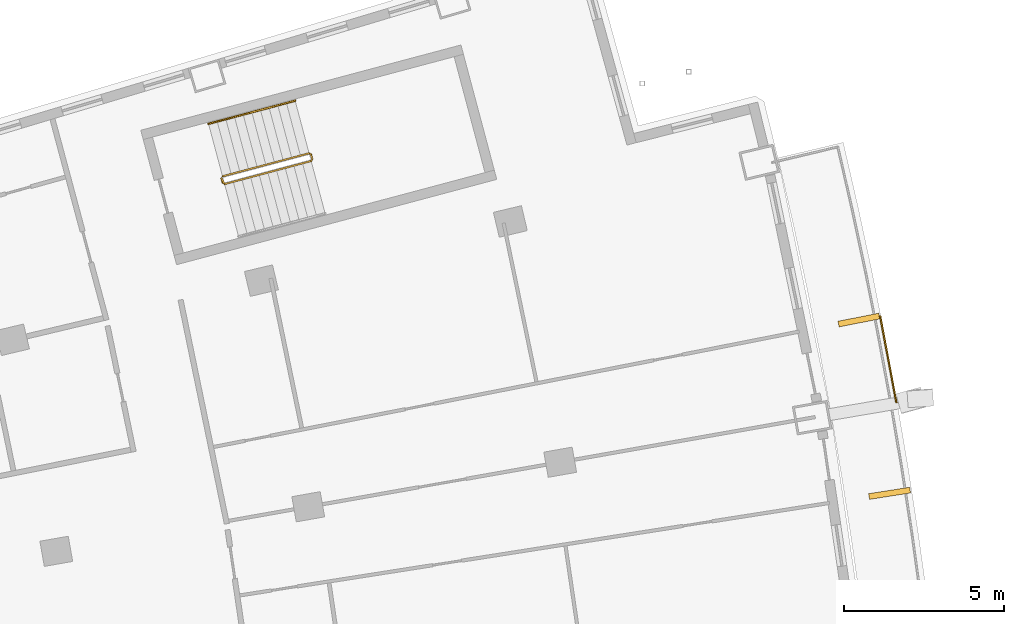
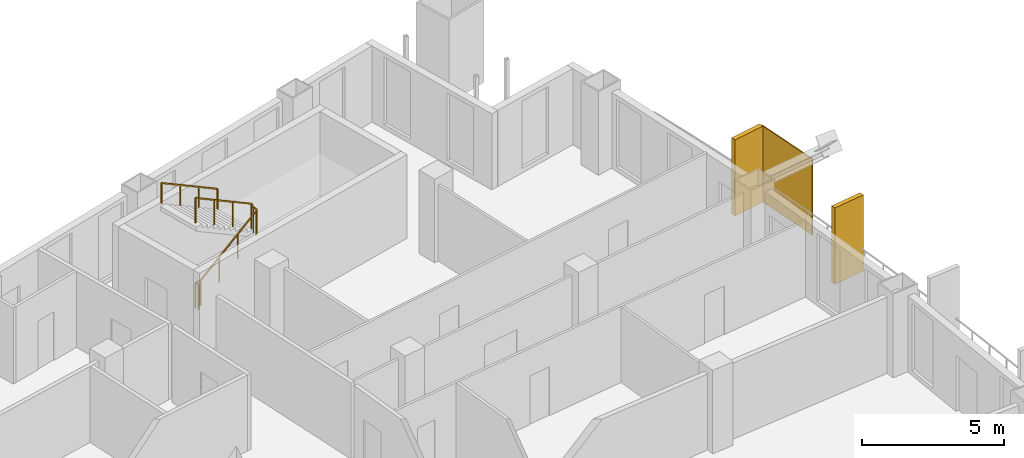
# One storey, part 22 of 22: 3 shading devices, 2 railings.
"""IFC4 building model written with IfcOpenShell, lengths in metres."""

from ifc_helpers import new_model, si_unit, direction, frame, origin, origin_2d, place, context, subcontext, project, spatial, rectangle, extrude, material, layer, layer_set, type_object, element, save


model = new_model("IFC4")

# Units and contexts
model_context = context("Model", 3, precision=1e-05, world=origin(), true_north=direction((0.0, 1.0)))
body_context = subcontext(model_context, "Body", "Model", "MODEL_VIEW")
ifc_project = project(units=[si_unit("LENGTHUNIT", "METRE"), si_unit("AREAUNIT", "SQUARE_METRE"), si_unit("VOLUMEUNIT", "CUBIC_METRE"), si_unit("PLANEANGLEUNIT", "RADIAN"), si_unit("MASSUNIT", "GRAM", prefix="KILO")], contexts=[model_context])

# Site, building, storey
site_placement = place(None, origin())
site = spatial("IfcSite", under=ifc_project, at=site_placement, CompositionType="ELEMENT")
building_placement = place(site_placement, origin())
building = spatial("IfcBuilding", under=site, at=building_placement, Name="Alderwake Tower", CompositionType="ELEMENT")
storey_placement = place(building_placement, frame((0.0, 0.0, 156.800048828125)))
storey = spatial("IfcBuildingStorey", under=building, at=storey_placement, Name="L38", CompositionType="ELEMENT", Elevation=156.800048828125)

# Shading devices
ifc_material_1 = material(Name="Bronze anodised aluminium", Category="aluminium")
ifc_layer_1 = layer(ifc_material_1, 0.179931640625)
ifc_layer_set_1 = layer_set([ifc_layer_1], Name="Facade fin 1300")
shading_device_type_1 = type_object("IfcShadingDeviceType", Name="Facade fin 1300", PredefinedType="USERDEFINED", material=ifc_layer_set_1)
for number, where, z_axis, x_axis, name in (
    (1, (60.0869140625, 82.97509765625, 0.0), (0.0, 0.0, 1.0), (0.987918787879, 0.154972476771, 0.0), "Fin"),
    (2, (59.12890625, 88.392578125, 0.0), (0.0, 0.0, 1.0), (0.981163751315, 0.193177879441, 0.0), "Fin"),
):
    element("IfcShadingDevice", number, at=place(storey_placement, frame(where, z_axis=z_axis, x_axis=x_axis)), inside=storey, type_object=shading_device_type_1, Name=name, ObjectType="FIN", PredefinedType="USERDEFINED", context=body_context, shape_type="SweptSolid", body=[
        extrude(rectangle(XDim=1.300048828125, YDim=0.179931640625, at=origin_2d()), origin(), (0.0, 0.0, 1.0), 3.280029296875),
    ])
ifc_material_2 = material(Name="Perforated bronze anodised aluminium", Category="aluminium")
ifc_layer_2 = layer(ifc_material_2, 0.050048828125)
ifc_layer_set_2 = layer_set([ifc_layer_2], Name="Perforated screen panel")
shading_device_type_2 = type_object("IfcShadingDeviceType", Name="Perforated screen panel", PredefinedType="USERDEFINED", material=ifc_layer_set_2)
shading_device_placement = place(storey_placement, frame((60.045166015625, 87.16455078125, 0.0), z_axis=(0.0, 0.0, 1.0), x_axis=(0.982991488043, 0.183651121519, 0.0)))
element("IfcShadingDevice", 3, at=shading_device_placement, inside=storey, type_object=shading_device_type_2, Name="Screen panel", ObjectType="SCREEN", PredefinedType="USERDEFINED", context=body_context, shape_type="SweptSolid", body=[
    extrude(rectangle(XDim=0.050048828125, YDim=2.763916015625, at=origin_2d()), origin(), (0.0, 0.0, 1.0), 3.280029296875),
])

# Railings
ifc_material_3 = material(Name="Stainless steel guard", Category="steel")
railing_type_1 = type_object("IfcRailingType", Name="Stair guard 1100", PredefinedType="GUARDRAIL", material=ifc_material_3)
railing_1_placement = place(storey_placement, frame((39.23291015625, 92.6806640625, 0.0)))
element("IfcRailing", 4, at=railing_1_placement, inside=storey, type_object=railing_type_1, Name="L38 ST-A stair guard 1", PredefinedType="GUARDRAIL", context=body_context, shape_type="SweptSolid", body=[
    extrude(rectangle(XDim=0.048095703125, YDim=0.048095703125, at=origin_2d()), frame((0.0, 0.0, 1.076171875), z_axis=(-0.257055032184, 0.966396766566, 0.0), x_axis=(-0.966396766566, -0.257055032184, 0.0)), (0.0, 0.0, 1.0), 0.150146484375),
    extrude(rectangle(XDim=0.048095703125, YDim=0.048095703125, at=origin_2d()), frame((-0.03857421875, 0.14501953125, 1.076171875), z_axis=(0.379370725808, -0.685464465458, 0.621463047167), x_axis=(0.874937996095, 0.484234966715, 0.0)), (0.0, 0.0, 1.0), 0.26318359375),
    extrude(rectangle(XDim=0.048095703125, YDim=0.048095703125, at=origin_2d()), frame((0.061279296875, -0.035400390625, 1.23974609375), z_axis=(0.834258940753, 0.22222815314, 0.504605457487), x_axis=(-0.257402139082, 0.966304371715, 0.0)), (0.0, 0.0, 1.0), 3.2431640625),
    extrude(rectangle(XDim=0.048095703125, YDim=0.048095703125, at=origin_2d()), frame((2.766845703125, 0.685302734375, 2.8759765625), z_axis=(0.500220121494, 0.865898279276, 0.0), x_axis=(-0.865898279276, 0.500220121494, 0.0)), (0.0, 0.0, 1.0), 0.07080078125),
    extrude(rectangle(XDim=0.048095703125, YDim=0.048095703125, at=origin_2d()), frame((2.80224609375, 0.74658203125, 2.8759765625), z_axis=(-0.257459803502, 0.966289009345, 0.0), x_axis=(-0.966289009345, -0.257459803502, 0.0)), (0.0, 0.0, 1.0), 0.14990234375),
    extrude(rectangle(XDim=0.048095703125, YDim=0.048095703125, at=origin_2d()), frame((2.763671875, 0.891357421875, 2.8759765625), z_axis=(-0.34252489212, 0.200034536998, 0.917966710881), x_axis=(-0.504300490226, -0.863528236688, 0.0)), (0.0, 0.0, 1.0), 0.17822265625),
    extrude(rectangle(XDim=0.048095703125, YDim=0.048095703125, at=origin_2d()), frame((2.70263671875, 0.927001953125, 3.03955078125), z_axis=(-0.834313512087, -0.222222637163, 0.504517653885), x_axis=(0.257380452725, -0.966310148221, 0.0)), (0.0, 0.0, 1.0), 3.2431640625),
    extrude(rectangle(XDim=0.0419921875, YDim=0.0419921875, at=origin_2d()), frame((0.0, 0.0, 0.0), z_axis=(0.0, 0.0, 1.0), x_axis=(-0.257055032184, 0.966396766566, 0.0)), (0.0, 0.0, 1.0), 1.052001953125),
    extrude(rectangle(XDim=0.0419921875, YDim=0.0419921875, at=origin_2d()), frame((-0.03857421875, 0.14501953125, 0.0), z_axis=(0.0, 0.0, 1.0), x_axis=(0.484234966715, -0.874937996095, 0.0)), (0.0, 0.0, 1.0), 1.052001953125),
    extrude(rectangle(XDim=0.0419921875, YDim=0.0419921875, at=origin_2d()), frame((0.061279296875, -0.035400390625, 0.16357421875), z_axis=(0.0, 0.0, 1.0), x_axis=(0.966304371715, 0.257402139082, 0.0)), (0.0, 0.0, 1.0), 1.052001953125),
    extrude(rectangle(XDim=0.0419921875, YDim=0.0419921875, at=origin_2d()), frame((0.963134765625, 0.204833984375, 0.708984375), z_axis=(0.0, 0.0, 1.0), x_axis=(0.966304371715, 0.257402139082, 0.0)), (0.0, 0.0, 1.0), 1.052001953125),
    extrude(rectangle(XDim=0.0419921875, YDim=0.0419921875, at=origin_2d()), frame((1.864990234375, 0.445068359375, 1.254638671875), z_axis=(0.0, 0.0, 1.0), x_axis=(0.966304371715, 0.257402139082, 0.0)), (0.0, 0.0, 1.0), 1.052001953125),
    extrude(rectangle(XDim=0.0419921875, YDim=0.0419921875, at=origin_2d()), frame((2.766845703125, 0.685302734375, 1.800048828125), z_axis=(0.0, 0.0, 1.0), x_axis=(0.500220121494, 0.865898279276, 0.0)), (0.0, 0.0, 1.0), 1.052001953125),
    extrude(rectangle(XDim=0.0419921875, YDim=0.0419921875, at=origin_2d()), frame((2.80224609375, 0.74658203125, 1.800048828125), z_axis=(0.0, 0.0, 1.0), x_axis=(-0.257459803502, 0.966289009345, 0.0)), (0.0, 0.0, 1.0), 1.052001953125),
    extrude(rectangle(XDim=0.0419921875, YDim=0.0419921875, at=origin_2d()), frame((2.763671875, 0.891357421875, 1.800048828125), z_axis=(0.0, 0.0, 1.0), x_axis=(-0.863528236688, 0.504300490226, 0.0)), (0.0, 0.0, 1.0), 1.052001953125),
    extrude(rectangle(XDim=0.0419921875, YDim=0.0419921875, at=origin_2d()), frame((2.70263671875, 0.927001953125, 1.963623046875), z_axis=(0.0, 0.0, 1.0), x_axis=(-0.966310148221, -0.257380452725, 0.0)), (0.0, 0.0, 1.0), 1.052001953125),
    extrude(rectangle(XDim=0.0419921875, YDim=0.0419921875, at=origin_2d()), frame((1.80078125, 0.686767578125, 2.509033203125), z_axis=(0.0, 0.0, 1.0), x_axis=(-0.966310148221, -0.257380452725, 0.0)), (0.0, 0.0, 1.0), 1.052001953125),
    extrude(rectangle(XDim=0.0419921875, YDim=0.0419921875, at=origin_2d()), frame((0.898681640625, 0.446533203125, 3.054443359375), z_axis=(0.0, 0.0, 1.0), x_axis=(-0.966310148221, -0.257380452725, 0.0)), (0.0, 0.0, 1.0), 1.052001953125),
    extrude(rectangle(XDim=0.0419921875, YDim=0.0419921875, at=origin_2d()), frame((-0.003173828125, 0.206298828125, 3.599853515625), z_axis=(0.0, 0.0, 1.0), x_axis=(-0.966310148221, -0.257380452725, 0.0)), (0.0, 0.0, 1.0), 1.052001953125),
])
ifc_material_4 = material(Name="Stainless steel handrail", Category="steel")
railing_type_2 = type_object("IfcRailingType", Name="Stair handrail 900", PredefinedType="HANDRAIL", material=ifc_material_4)
railing_2_placement = place(storey_placement, frame((41.497802734375, 95.250244140625, 1.963623046875)))
element("IfcRailing", 5, at=railing_2_placement, inside=storey, type_object=railing_type_2, Name="L38 ST-A stair handrail 2", PredefinedType="HANDRAIL", context=body_context, shape_type="SweptSolid", body=[
    extrude(rectangle(XDim=0.048095703125, YDim=0.048095703125, at=origin_2d()), frame((0.0, 0.0, 0.8759765625), z_axis=(-0.834290631165, -0.222236594766, 0.504549342183), x_axis=(0.257402139082, -0.966304371715, 0.0)), (0.0, 0.0, 1.0), 3.242919921875),
    extrude(rectangle(XDim=0.0419921875, YDim=0.0419921875, at=origin_2d()), frame((0.0, 0.0, 0.0), z_axis=(0.0, 0.0, 1.0), x_axis=(-0.966304371715, -0.257402139082, 0.0)), (0.0, 0.0, 1.0), 0.851806640625),
    extrude(rectangle(XDim=0.0419921875, YDim=0.0419921875, at=origin_2d()), frame((-0.90185546875, -0.240234375, 0.54541015625), z_axis=(0.0, 0.0, 1.0), x_axis=(-0.966304371715, -0.257402139082, 0.0)), (0.0, 0.0, 1.0), 0.851806640625),
    extrude(rectangle(XDim=0.0419921875, YDim=0.0419921875, at=origin_2d()), frame((-1.8037109375, -0.48046875, 1.0908203125), z_axis=(0.0, 0.0, 1.0), x_axis=(-0.966304371715, -0.257402139082, 0.0)), (0.0, 0.0, 1.0), 0.851806640625),
    extrude(rectangle(XDim=0.0419921875, YDim=0.0419921875, at=origin_2d()), frame((-2.70556640625, -0.720703125, 1.63623046875), z_axis=(0.0, 0.0, 1.0), x_axis=(-0.966304371715, -0.257402139082, 0.0)), (0.0, 0.0, 1.0), 0.851806640625),
])

save(model, "model.ifc")
